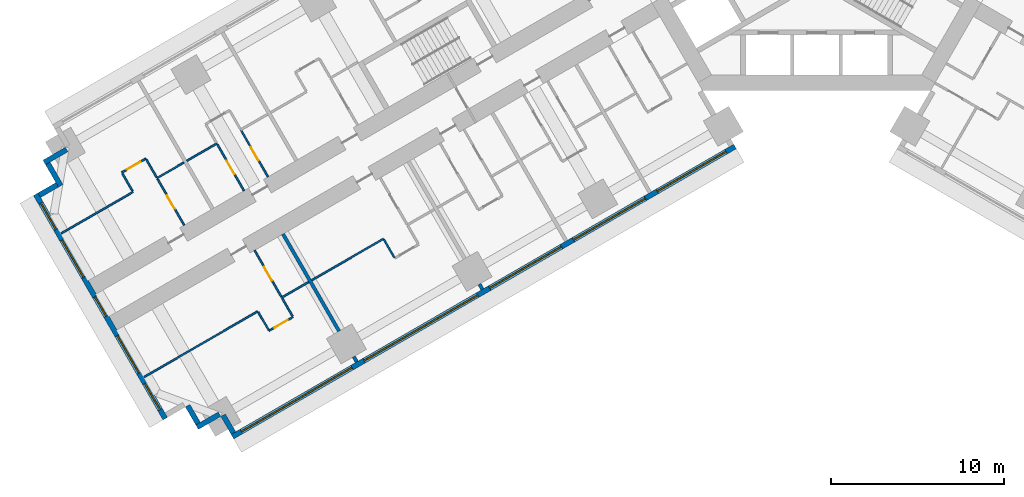
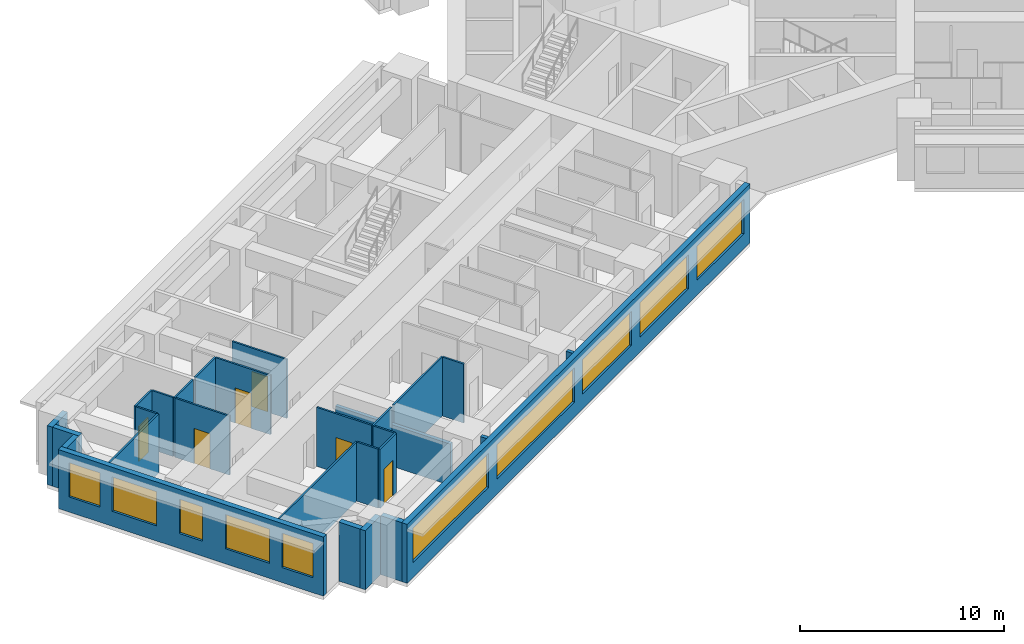
# One storey, part 3 of 17: 28 walls, 10 windows, 6 doors, 16 openings.
"""IFC4 building model written with IfcOpenShell, lengths in metres."""

from ifc_helpers import new_model, si_unit, direction, frame, frame_2d, origin, place, context, subcontext, project, spatial, rectangle, extrude, material, layer, layer_set, type_object, element, fill, save


model = new_model("IFC4")

# Units and contexts
model_context = context("Model", 3, precision=1e-05, world=origin(), true_north=direction((0.0, 1.0)))
body_context = subcontext(model_context, "Body", "Model", "MODEL_VIEW")
ifc_project = project(units=[si_unit("LENGTHUNIT", "METRE"), si_unit("AREAUNIT", "SQUARE_METRE"), si_unit("VOLUMEUNIT", "CUBIC_METRE"), si_unit("PLANEANGLEUNIT", "RADIAN"), si_unit("MASSUNIT", "GRAM", prefix="KILO")], contexts=[model_context])

# Site, building, storey
site_placement = place(None, origin())
site = spatial("IfcSite", under=ifc_project, at=site_placement, CompositionType="ELEMENT")
building_placement = place(site_placement, origin())
building = spatial("IfcBuilding", under=site, at=building_placement, Name="Impinga Residences", CompositionType="ELEMENT")
storey_placement = place(building_placement, frame((0.0, 0.0, 29.75)))
storey = spatial("IfcBuildingStorey", under=building, at=storey_placement, Name="L06", CompositionType="ELEMENT", Elevation=29.75)

# Walls
ifc_material_1 = material(Name="Terracotta rainscreen on blockwork", Category="masonry")
ifc_layer_1 = layer(ifc_material_1, 0.300048828125)
ifc_layer_set_1 = layer_set([ifc_layer_1], Name="EW1 external wall, terracotta rainscreen on blockwork 300")
wall_type_1 = type_object("IfcWallType", Name="EW1 external wall, terracotta rainscreen on blockwork 300", PredefinedType="SOLIDWALL", material=ifc_layer_set_1)
wall_1_placement = place(storey_placement, frame((-33.7685546875, -31.274169921875, 0.0), z_axis=(0.0, 0.0, 1.0), x_axis=(-0.499940577336, 0.866059708757, 0.0)))
element("IfcWall", 1, at=wall_1_placement, inside=storey, type_object=wall_type_1, Name="External wall EW1 L06", PredefinedType="SOLIDWALL", context=body_context, shape_type="SweptSolid", body=[
    extrude(rectangle(XDim=1.195068359375, YDim=0.300048828125, at=frame_2d((0.59765625, 0.0))), origin(), (0.0, 0.0, 1.0), 3.530029296875),
])
wall_2_placement = place(storey_placement, frame((-34.573486328125, -30.18017578125, 0.0), z_axis=(0.0, 0.0, 1.0), x_axis=(-0.866031096941, -0.499990139034, 0.0)))
element("IfcWall", 2, at=wall_2_placement, inside=storey, type_object=wall_type_1, Name="External wall EW1 L06", PredefinedType="SOLIDWALL", context=body_context, shape_type="SweptSolid", body=[
    extrude(rectangle(XDim=1.5, YDim=0.300048828125, at=frame_2d((0.75, 0.0))), origin(), (0.0, 0.0, 1.0), 3.530029296875),
])
wall_3_placement = place(storey_placement, frame((-35.817626953125, -30.72509765625, 0.0), z_axis=(0.0, 0.0, 1.0), x_axis=(-0.499969057507, 0.866043267704, 0.0)))
element("IfcWall", 3, at=wall_3_placement, inside=storey, type_object=wall_type_1, Name="External wall EW1 L06", PredefinedType="SOLIDWALL", context=body_context, shape_type="SweptSolid", body=[
    extrude(rectangle(XDim=1.19970703125, YDim=0.300048828125, at=frame_2d((0.599853515625, 0.0))), origin(), (0.0, 0.0, 1.0), 3.530029296875),
])

# Wall, openings, windows
wall_4_placement = place(storey_placement, frame((-37.716552734375, -30.43603515625, 0.0), z_axis=(0.0, 0.0, 1.0), x_axis=(-0.499997186618, 0.866027028085, 0.0)))
wall_4 = element("IfcWall", 4, at=wall_4_placement, inside=storey, type_object=wall_type_1, Name="External wall EW1 L06", PredefinedType="SOLIDWALL", context=body_context, shape_type="SweptSolid", body=[
    extrude(rectangle(XDim=15.0, YDim=0.300048828125, at=frame_2d((7.5, 0.0))), origin(), (0.0, 0.0, 1.0), 3.530029296875),
])
opening_1_placement = place(wall_4_placement, frame((0.60009765625, 0.0, 0.89990234375)))
opening_1 = element("IfcOpeningElement", 5, at=opening_1_placement, cuts=wall_4, Name="Opening W1", PredefinedType="OPENING", context=body_context, shape_type="SweptSolid", body=[
    extrude(rectangle(XDim=1.75, YDim=2.050048828125, at=frame_2d((0.875, 1.02490234375))), frame((0.0, 0.159912109375, 0.0), z_axis=(0.0, -1.0, 0.0), x_axis=(1.0, 0.0, 0.0)), (0.0, 0.0, 1.0), 0.320068359375),
])
opening_2_placement = place(wall_4_placement, frame((3.050048828125, 0.0, 0.89990234375)))
opening_2 = element("IfcOpeningElement", 6, at=opening_2_placement, cuts=wall_4, Name="Opening W2", PredefinedType="OPENING", context=body_context, shape_type="SweptSolid", body=[
    extrude(rectangle(XDim=2.5, YDim=2.050048828125, at=frame_2d((1.25, 1.02490234375))), frame((0.0, 0.159912109375, 0.0), z_axis=(0.0, -1.0, 0.0), x_axis=(1.0, 0.0, 0.0)), (0.0, 0.0, 1.0), 0.320068359375),
])
opening_3_placement = place(wall_4_placement, frame((6.85009765625, 0.0, 0.89990234375)))
opening_3 = element("IfcOpeningElement", 7, at=opening_3_placement, cuts=wall_4, Name="Opening WE1", PredefinedType="OPENING", context=body_context, shape_type="SweptSolid", body=[
    extrude(rectangle(XDim=1.300048828125, YDim=2.050048828125, at=frame_2d((0.64990234375, 1.02490234375))), frame((0.0, 0.159912109375, 0.0), z_axis=(0.0, -1.0, 0.0), x_axis=(1.0, 0.0, 0.0)), (0.0, 0.0, 1.0), 0.320068359375),
])
opening_4_placement = place(wall_4_placement, frame((9.449951171875, 0.0, 0.89990234375)))
opening_4 = element("IfcOpeningElement", 8, at=opening_4_placement, cuts=wall_4, Name="Opening W2", PredefinedType="OPENING", context=body_context, shape_type="SweptSolid", body=[
    extrude(rectangle(XDim=2.5, YDim=2.050048828125, at=frame_2d((1.25, 1.02490234375))), frame((0.0, 0.159912109375, 0.0), z_axis=(0.0, -1.0, 0.0), x_axis=(1.0, 0.0, 0.0)), (0.0, 0.0, 1.0), 0.320068359375),
])
opening_5_placement = place(wall_4_placement, frame((12.64990234375, 0.0, 0.89990234375)))
opening_5 = element("IfcOpeningElement", 9, at=opening_5_placement, cuts=wall_4, Name="Opening W1", PredefinedType="OPENING", context=body_context, shape_type="SweptSolid", body=[
    extrude(rectangle(XDim=1.75, YDim=2.050048828125, at=frame_2d((0.875, 1.02490234375))), frame((0.0, 0.159912109375, 0.0), z_axis=(0.0, -1.0, 0.0), x_axis=(1.0, 0.0, 0.0)), (0.0, 0.0, 1.0), 0.320068359375),
])
ifc_material_2 = material(Name="Aluminium window, clear double glazing", Category="aluminium")
window_type_1 = type_object("IfcWindowType", Name="W1 ribbon window 1750x2050", PartitioningType="SINGLE_PANEL", PredefinedType="WINDOW", material=ifc_material_2)
window_1_placement = place(opening_1_placement, origin())
window_1 = element("IfcWindow", 10, at=window_1_placement, inside=storey, type_object=window_type_1, Name="Window L06", OverallHeight=2.050048828125, OverallWidth=1.75, PartitioningType="SINGLE_PANEL", PredefinedType="WINDOW", context=body_context, shape_type="SweptSolid", body=[
    extrude(rectangle(XDim=1.75, YDim=2.050048828125, at=frame_2d((0.875, 1.02490234375))), frame((0.0, 0.030029296875, 0.0), z_axis=(0.0, -1.0, 0.0), x_axis=(1.0, 0.0, 0.0)), (0.0, 0.0, 1.0), 0.06005859375),
])
fill(opening_1, window_1)
window_2_placement = place(opening_5_placement, origin())
window_2 = element("IfcWindow", 11, at=window_2_placement, inside=storey, type_object=window_type_1, Name="Window L06", OverallHeight=2.050048828125, OverallWidth=1.75, PartitioningType="SINGLE_PANEL", PredefinedType="WINDOW", context=body_context, shape_type="SweptSolid", body=[
    extrude(rectangle(XDim=1.75, YDim=2.050048828125, at=frame_2d((0.875, 1.02490234375))), frame((0.0, 0.030029296875, 0.0), z_axis=(0.0, -1.0, 0.0), x_axis=(1.0, 0.0, 0.0)), (0.0, 0.0, 1.0), 0.06005859375),
])
fill(opening_5, window_2)
window_type_2 = type_object("IfcWindowType", Name="W2 ribbon window 2500x2050", PartitioningType="SINGLE_PANEL", PredefinedType="WINDOW", material=ifc_material_2)
window_3_placement = place(opening_2_placement, origin())
window_3 = element("IfcWindow", 12, at=window_3_placement, inside=storey, type_object=window_type_2, Name="Window L06", OverallHeight=2.050048828125, OverallWidth=2.5, PartitioningType="SINGLE_PANEL", PredefinedType="WINDOW", context=body_context, shape_type="SweptSolid", body=[
    extrude(rectangle(XDim=2.5, YDim=2.050048828125, at=frame_2d((1.25, 1.02490234375))), frame((0.0, 0.030029296875, 0.0), z_axis=(0.0, -1.0, 0.0), x_axis=(1.0, 0.0, 0.0)), (0.0, 0.0, 1.0), 0.06005859375),
])
fill(opening_2, window_3)
window_4_placement = place(opening_4_placement, origin())
window_4 = element("IfcWindow", 13, at=window_4_placement, inside=storey, type_object=window_type_2, Name="Window L06", OverallHeight=2.050048828125, OverallWidth=2.5, PartitioningType="SINGLE_PANEL", PredefinedType="WINDOW", context=body_context, shape_type="SweptSolid", body=[
    extrude(rectangle(XDim=2.5, YDim=2.050048828125, at=frame_2d((1.25, 1.02490234375))), frame((0.0, 0.030029296875, 0.0), z_axis=(0.0, -1.0, 0.0), x_axis=(1.0, 0.0, 0.0)), (0.0, 0.0, 1.0), 0.06005859375),
])
fill(opening_4, window_4)
window_type_3 = type_object("IfcWindowType", Name="WE1 corridor window 1300x2050", PartitioningType="SINGLE_PANEL", PredefinedType="WINDOW", material=ifc_material_2)
window_5_placement = place(opening_3_placement, origin())
window_5 = element("IfcWindow", 14, at=window_5_placement, inside=storey, type_object=window_type_3, Name="Window L06", OverallHeight=2.050048828125, OverallWidth=1.300048828125, PartitioningType="SINGLE_PANEL", PredefinedType="WINDOW", context=body_context, shape_type="SweptSolid", body=[
    extrude(rectangle(XDim=1.300048828125, YDim=2.050048828125, at=frame_2d((0.64990234375, 1.02490234375))), frame((0.0, 0.030029296875, 0.0), z_axis=(0.0, -1.0, 0.0), x_axis=(1.0, 0.0, 0.0)), (0.0, 0.0, 1.0), 0.06005859375),
])
fill(opening_3, window_5)

# Walls
wall_5_placement = place(storey_placement, frame((-45.01171875, -17.50048828125, 0.0), z_axis=(0.0, 0.0, 1.0), x_axis=(0.866059708757, 0.499940577336, 0.0)))
element("IfcWall", 15, at=wall_5_placement, inside=storey, type_object=wall_type_1, Name="External wall EW1 L06", PredefinedType="SOLIDWALL", context=body_context, shape_type="SweptSolid", body=[
    extrude(rectangle(XDim=1.195068359375, YDim=0.300048828125, at=frame_2d((0.59765625, 0.0))), origin(), (0.0, 0.0, 1.0), 3.530029296875),
])
for number, where, z_axis, x_axis, name in (
    (16, (-43.767578125, -16.955322265625, 0.0), (0.0, 0.0, 1.0), (-0.499990139034, 0.866031096941, 0.0), "External wall EW1 L06"),
    (17, (-44.722412109375, -15.6015625, 0.0), (0.0, 0.0, 1.0), (0.866031096941, 0.499990139034, 0.0), "External wall EW1 L06"),
):
    element("IfcWall", number, at=place(storey_placement, frame(where, z_axis=z_axis, x_axis=x_axis)), inside=storey, type_object=wall_type_1, Name=name, PredefinedType="SOLIDWALL", context=body_context, shape_type="SweptSolid", body=[
        extrude(rectangle(XDim=1.5, YDim=0.300048828125, at=frame_2d((0.75, 0.0))), origin(), (0.0, 0.0, 1.0), 3.530029296875),
    ])

# Wall, openings, windows
wall_6_placement = place(storey_placement, frame((-4.72509765625, -14.67919921875, 0.0), z_axis=(0.0, 0.0, 1.0), x_axis=(-0.866024291668, -0.500001926238, 0.0)))
wall_6 = element("IfcWall", 18, at=wall_6_placement, inside=storey, type_object=wall_type_1, Name="External wall EW1 L06", PredefinedType="SOLIDWALL", context=body_context, shape_type="SweptSolid", body=[
    extrude(rectangle(XDim=33.599853515625, YDim=0.300048828125, at=frame_2d((16.7998046875, 0.0))), origin(), (0.0, 0.0, 1.0), 3.530029296875),
])
opening_6_placement = place(wall_6_placement, frame((0.60009765625, 0.0, 0.89990234375)))
opening_6 = element("IfcOpeningElement", 19, at=opening_6_placement, cuts=wall_6, Name="Opening W3", PredefinedType="OPENING", context=body_context, shape_type="SweptSolid", body=[
    extrude(rectangle(XDim=4.60009765625, YDim=2.050048828125, at=frame_2d((2.300048828125, 1.02490234375))), frame((0.0, 0.159912109375, 0.0), z_axis=(0.0, -1.0, 0.0), x_axis=(1.0, 0.0, 0.0)), (0.0, 0.0, 1.0), 0.320068359375),
])
opening_7_placement = place(wall_6_placement, frame((6.0, 0.0, 0.89990234375)))
opening_7 = element("IfcOpeningElement", 20, at=opening_7_placement, cuts=wall_6, Name="Opening W8", PredefinedType="OPENING", context=body_context, shape_type="SweptSolid", body=[
    extrude(rectangle(XDim=4.800048828125, YDim=2.050048828125, at=frame_2d((2.39990234375, 1.02490234375))), frame((0.0, 0.159912109375, 0.0), z_axis=(0.0, -1.0, 0.0), x_axis=(1.0, 0.0, 0.0)), (0.0, 0.0, 1.0), 0.320068359375),
])
opening_8_placement = place(wall_6_placement, frame((11.60009765625, 0.0, 0.89990234375)))
opening_8 = element("IfcOpeningElement", 21, at=opening_8_placement, cuts=wall_6, Name="Opening W8", PredefinedType="OPENING", context=body_context, shape_type="SweptSolid", body=[
    extrude(rectangle(XDim=4.800048828125, YDim=2.050048828125, at=frame_2d((2.39990234375, 1.02490234375))), frame((0.0, 0.159912109375, 0.0), z_axis=(0.0, -1.0, 0.0), x_axis=(1.0, 0.0, 0.0)), (0.0, 0.0, 1.0), 0.320068359375),
])
opening_9_placement = place(wall_6_placement, frame((17.199951171875, 0.0, 0.89990234375)))
opening_9 = element("IfcOpeningElement", 22, at=opening_9_placement, cuts=wall_6, Name="Opening W5", PredefinedType="OPENING", context=body_context, shape_type="SweptSolid", body=[
    extrude(rectangle(XDim=7.60009765625, YDim=2.050048828125, at=frame_2d((3.800048828125, 1.02490234375))), frame((0.0, 0.159912109375, 0.0), z_axis=(0.0, -1.0, 0.0), x_axis=(1.0, 0.0, 0.0)), (0.0, 0.0, 1.0), 0.320068359375),
])
opening_10_placement = place(wall_6_placement, frame((25.60009765625, 0.0, 0.89990234375)))
opening_10 = element("IfcOpeningElement", 23, at=opening_10_placement, cuts=wall_6, Name="Opening W12", PredefinedType="OPENING", context=body_context, shape_type="SweptSolid", body=[
    extrude(rectangle(XDim=7.39990234375, YDim=2.050048828125, at=frame_2d((3.699951171875, 1.02490234375))), frame((0.0, 0.159912109375, 0.0), z_axis=(0.0, -1.0, 0.0), x_axis=(1.0, 0.0, 0.0)), (0.0, 0.0, 1.0), 0.320068359375),
])
window_type_4 = type_object("IfcWindowType", Name="W12 ribbon window 7400x2050", PartitioningType="SINGLE_PANEL", PredefinedType="WINDOW", material=ifc_material_2)
window_6_placement = place(opening_10_placement, origin())
window_6 = element("IfcWindow", 24, at=window_6_placement, inside=storey, type_object=window_type_4, Name="Window L06", OverallHeight=2.050048828125, OverallWidth=7.39990234375, PartitioningType="SINGLE_PANEL", PredefinedType="WINDOW", context=body_context, shape_type="SweptSolid", body=[
    extrude(rectangle(XDim=7.39990234375, YDim=2.050048828125, at=frame_2d((3.699951171875, 1.02490234375))), frame((0.0, 0.030029296875, 0.0), z_axis=(0.0, -1.0, 0.0), x_axis=(1.0, 0.0, 0.0)), (0.0, 0.0, 1.0), 0.06005859375),
])
fill(opening_10, window_6)
window_type_5 = type_object("IfcWindowType", Name="W3 ribbon window 4600x2050", PartitioningType="SINGLE_PANEL", PredefinedType="WINDOW", material=ifc_material_2)
window_7_placement = place(opening_6_placement, origin())
window_7 = element("IfcWindow", 25, at=window_7_placement, inside=storey, type_object=window_type_5, Name="Window L06", OverallHeight=2.050048828125, OverallWidth=4.60009765625, PartitioningType="SINGLE_PANEL", PredefinedType="WINDOW", context=body_context, shape_type="SweptSolid", body=[
    extrude(rectangle(XDim=4.60009765625, YDim=2.050048828125, at=frame_2d((2.300048828125, 1.02490234375))), frame((0.0, 0.030029296875, 0.0), z_axis=(0.0, -1.0, 0.0), x_axis=(1.0, 0.0, 0.0)), (0.0, 0.0, 1.0), 0.06005859375),
])
fill(opening_6, window_7)
window_type_6 = type_object("IfcWindowType", Name="W5 ribbon window 7600x2050", PartitioningType="SINGLE_PANEL", PredefinedType="WINDOW", material=ifc_material_2)
window_8_placement = place(opening_9_placement, origin())
window_8 = element("IfcWindow", 26, at=window_8_placement, inside=storey, type_object=window_type_6, Name="Window L06", OverallHeight=2.050048828125, OverallWidth=7.60009765625, PartitioningType="SINGLE_PANEL", PredefinedType="WINDOW", context=body_context, shape_type="SweptSolid", body=[
    extrude(rectangle(XDim=7.60009765625, YDim=2.050048828125, at=frame_2d((3.800048828125, 1.02490234375))), frame((0.0, 0.030029296875, 0.0), z_axis=(0.0, -1.0, 0.0), x_axis=(1.0, 0.0, 0.0)), (0.0, 0.0, 1.0), 0.06005859375),
])
fill(opening_9, window_8)
window_type_7 = type_object("IfcWindowType", Name="W8 ribbon window 4800x2050", PartitioningType="SINGLE_PANEL", PredefinedType="WINDOW", material=ifc_material_2)
window_9_placement = place(opening_7_placement, origin())
window_9 = element("IfcWindow", 27, at=window_9_placement, inside=storey, type_object=window_type_7, Name="Window L06", OverallHeight=2.050048828125, OverallWidth=4.800048828125, PartitioningType="SINGLE_PANEL", PredefinedType="WINDOW", context=body_context, shape_type="SweptSolid", body=[
    extrude(rectangle(XDim=4.800048828125, YDim=2.050048828125, at=frame_2d((2.39990234375, 1.02490234375))), frame((0.0, 0.030029296875, 0.0), z_axis=(0.0, -1.0, 0.0), x_axis=(1.0, 0.0, 0.0)), (0.0, 0.0, 1.0), 0.06005859375),
])
fill(opening_7, window_9)
window_10_placement = place(opening_8_placement, origin())
window_10 = element("IfcWindow", 28, at=window_10_placement, inside=storey, type_object=window_type_7, Name="Window L06", OverallHeight=2.050048828125, OverallWidth=4.800048828125, PartitioningType="SINGLE_PANEL", PredefinedType="WINDOW", context=body_context, shape_type="SweptSolid", body=[
    extrude(rectangle(XDim=4.800048828125, YDim=2.050048828125, at=frame_2d((2.39990234375, 1.02490234375))), frame((0.0, 0.030029296875, 0.0), z_axis=(0.0, -1.0, 0.0), x_axis=(1.0, 0.0, 0.0)), (0.0, 0.0, 1.0), 0.06005859375),
])
fill(opening_8, window_10)

# Walls
ifc_material_3 = material(Name="Gypsum board on steel studs", Category="steel")
ifc_layer_2 = layer(ifc_material_3, 0.10009765625)
ifc_layer_set_2 = layer_set([ifc_layer_2], Name="Gypsum board on steel studs")
wall_type_2 = type_object("IfcWallType", Name="IP1 partition 100", PredefinedType="PARTITIONING", material=ifc_layer_set_2)
wall_7_placement = place(storey_placement, frame((-25.080322265625, -20.022705078125, 0.0), z_axis=(0.0, 0.0, 1.0), x_axis=(-0.866037363387, -0.499979284789, 0.0)))
element("IfcWall", 29, at=wall_7_placement, inside=storey, type_object=wall_type_2, Name="Partition L06-WA4:DIV1", PredefinedType="PARTITIONING", context=body_context, shape_type="SweptSolid", body=[
    extrude(rectangle(XDim=4.800048828125, YDim=0.10009765625, at=frame_2d((2.39990234375, 0.0))), origin(), (0.0, 0.0, 1.0), 3.530029296875),
])
wall_8_placement = place(storey_placement, frame((-25.055419921875, -20.06591796875, 0.0), z_axis=(0.0, 0.0, 1.0), x_axis=(0.500033551112, -0.866006032174, 0.0)))
element("IfcWall", 30, at=wall_8_placement, inside=storey, type_object=wall_type_2, Name="Partition L06-WA4:SE1", PredefinedType="PARTITIONING", context=body_context, shape_type="SweptSolid", body=[
    extrude(rectangle(XDim=1.2001953125, YDim=0.10009765625, at=frame_2d((0.60009765625, 0.0))), origin(), (0.0, 0.0, 1.0), 3.530029296875),
])
wall_9_placement = place(storey_placement, frame((-29.410400390625, -22.522705078125, 0.0), z_axis=(0.0, 0.0, 1.0), x_axis=(-0.866047807691, -0.499961193289, 0.0)))
element("IfcWall", 31, at=wall_9_placement, inside=storey, type_object=wall_type_2, Name="Partition L06-WA5:DIV0", PredefinedType="PARTITIONING", context=body_context, shape_type="SweptSolid", body=[
    extrude(rectangle(XDim=1.800048828125, YDim=0.10009765625, at=frame_2d((0.89990234375, 0.0))), origin(), (0.0, 0.0, 1.0), 3.530029296875),
])
wall_10_placement = place(storey_placement, frame((-32.35498046875, -24.22265625, 0.0), z_axis=(0.0, 0.0, 1.0), x_axis=(-0.866022425744, -0.500005158081, 0.0)))
element("IfcWall", 32, at=wall_10_placement, inside=storey, type_object=wall_type_2, Name="Partition L06-WA5:DIV1", PredefinedType="PARTITIONING", context=body_context, shape_type="SweptSolid", body=[
    extrude(rectangle(XDim=7.60009765625, YDim=0.10009765625, at=frame_2d((3.800048828125, 0.0))), origin(), (0.0, 0.0, 1.0), 3.530029296875),
])

# Wall, opening, door
wall_11_placement = place(storey_placement, frame((-30.3193359375, -24.548583984375, 0.0), z_axis=(0.0, 0.0, 1.0), x_axis=(-0.865989903783, -0.500061482766, 0.0)))
wall_11 = element("IfcWall", 33, at=wall_11_placement, inside=storey, type_object=wall_type_2, Name="Partition L06-WA5:STRIP", PredefinedType="PARTITIONING", context=body_context, shape_type="SweptSolid", body=[
    extrude(rectangle(XDim=1.599853515625, YDim=0.10009765625, at=frame_2d((0.7998046875, 0.0))), origin(), (0.0, 0.0, 1.0), 3.530029296875),
])
opening_11_placement = place(wall_11_placement, frame((0.35009765625, 0.0, 0.0)))
opening_11 = element("IfcOpeningElement", 34, at=opening_11_placement, cuts=wall_11, Name="Opening D2", PredefinedType="OPENING", context=body_context, shape_type="SweptSolid", body=[
    extrude(rectangle(XDim=0.89990234375, YDim=2.10009765625, at=frame_2d((0.449951171875, 1.050048828125))), frame((0.0, 0.06005859375, 0.0), z_axis=(0.0, -1.0, 0.0), x_axis=(1.0, 0.0, 0.0)), (0.0, 0.0, 1.0), 0.1201171875),
])
ifc_material_4 = material(Name="Timber door set", Category="wood")
door_type = type_object("IfcDoorType", Name="D2 internal door 900x2100", OperationType="SINGLE_SWING_LEFT", PredefinedType="DOOR", material=ifc_material_4)
door_1_placement = place(opening_11_placement, origin())
door_1 = element("IfcDoor", 35, at=door_1_placement, inside=storey, type_object=door_type, Name="Apartment L06-WA5 room door", OperationType="SINGLE_SWING_LEFT", OverallHeight=2.10009765625, OverallWidth=0.89990234375, PredefinedType="DOOR", context=body_context, shape_type="SweptSolid", body=[
    extrude(rectangle(XDim=0.89990234375, YDim=2.10009765625, at=frame_2d((0.449951171875, 1.050048828125))), frame((0.0, 0.02490234375, 0.0), z_axis=(0.0, -1.0, 0.0), x_axis=(1.0, 0.0, 0.0)), (0.0, 0.0, 1.0), 0.050048828125),
])
fill(opening_11, door_1)

# Walls
for number, where, z_axis, x_axis, name in (
    (36, (-30.9443359375, -23.466064453125, 0.0), (0.0, 0.0, 1.0), (0.50012165622, -0.865955154139, 0.0), "Partition L06-WA5:SE0"),
    (37, (-32.329833984375, -24.265869140625, 0.0), (0.0, 0.0, 1.0), (0.499880961361, -0.866094119867, 0.0), "Partition L06-WA5:SE1"),
):
    element("IfcWall", number, at=place(storey_placement, frame(where, z_axis=z_axis, x_axis=x_axis)), inside=storey, type_object=wall_type_2, Name=name, PredefinedType="PARTITIONING", context=body_context, shape_type="SweptSolid", body=[
        extrude(rectangle(XDim=1.199951171875, YDim=0.10009765625, at=frame_2d((0.60009765625, 0.0))), origin(), (0.0, 0.0, 1.0), 3.530029296875),
    ])

# Wall, opening, door
wall_12_placement = place(storey_placement, frame((-32.544189453125, -20.69482421875, 0.0), z_axis=(0.0, 0.0, 1.0), x_axis=(0.499967891604, -0.866043940782, 0.0)))
wall_12 = element("IfcWall", 38, at=wall_12_placement, inside=storey, type_object=wall_type_2, Name="Partition L06-WA5:IB1", PredefinedType="PARTITIONING", context=body_context, shape_type="SweptSolid", body=[
    extrude(rectangle(XDim=3.099853515625, YDim=0.10009765625, at=frame_2d((1.5498046875, 0.0))), origin(), (0.0, 0.0, 1.0), 3.530029296875),
])
opening_12_placement = place(wall_12_placement, frame((1.10009765625, 0.0, 0.0)))
opening_12 = element("IfcOpeningElement", 39, at=opening_12_placement, cuts=wall_12, Name="Opening D2", PredefinedType="OPENING", context=body_context, shape_type="SweptSolid", body=[
    extrude(rectangle(XDim=0.89990234375, YDim=2.10009765625, at=frame_2d((0.449951171875, 1.050048828125))), frame((0.0, 0.06005859375, 0.0), z_axis=(0.0, -1.0, 0.0), x_axis=(1.0, 0.0, 0.0)), (0.0, 0.0, 1.0), 0.1201171875),
])
door_2_placement = place(opening_12_placement, origin())
door_2 = element("IfcDoor", 40, at=door_2_placement, inside=storey, type_object=door_type, Name="Apartment L06-WA5 bathroom door", OperationType="SINGLE_SWING_LEFT", OverallHeight=2.10009765625, OverallWidth=0.89990234375, PredefinedType="DOOR", context=body_context, shape_type="SweptSolid", body=[
    extrude(rectangle(XDim=0.89990234375, YDim=2.10009765625, at=frame_2d((0.449951171875, 1.050048828125))), frame((0.0, 0.02490234375, 0.0), z_axis=(0.0, -1.0, 0.0), x_axis=(1.0, 0.0, 0.0)), (0.0, 0.0, 1.0), 0.050048828125),
])
fill(opening_12, door_2)

# Wall
wall_13_placement = place(storey_placement, frame((-34.72998046875, -14.5087890625, 0.0), z_axis=(0.0, 0.0, 1.0), x_axis=(-0.866041268327, -0.499972520799, 0.0)))
element("IfcWall", 41, at=wall_13_placement, inside=storey, type_object=wall_type_2, Name="Partition L06-WF3:DIV1", PredefinedType="PARTITIONING", context=body_context, shape_type="SweptSolid", body=[
    extrude(rectangle(XDim=2.0, YDim=0.10009765625, at=frame_2d((1.0, 0.0))), origin(), (0.0, 0.0, 1.0), 3.530029296875),
])

# Wall, opening, door
wall_14_placement = place(storey_placement, frame((-31.76953125, -16.436767578125, 0.0), z_axis=(0.0, 0.0, 1.0), x_axis=(-0.499967891604, 0.866043940782, 0.0)))
wall_14 = element("IfcWall", 42, at=wall_14_placement, inside=storey, type_object=wall_type_2, Name="Partition L06-WF3:IB1", PredefinedType="PARTITIONING", context=body_context, shape_type="SweptSolid", body=[
    extrude(rectangle(XDim=3.099853515625, YDim=0.10009765625, at=frame_2d((1.5498046875, 0.0))), origin(), (0.0, 0.0, 1.0), 3.530029296875),
])
opening_13_placement = place(wall_14_placement, frame((1.10009765625, 0.0, 0.0)))
opening_13 = element("IfcOpeningElement", 43, at=opening_13_placement, cuts=wall_14, Name="Opening D2", PredefinedType="OPENING", context=body_context, shape_type="SweptSolid", body=[
    extrude(rectangle(XDim=0.89990234375, YDim=2.10009765625, at=frame_2d((0.449951171875, 1.050048828125))), frame((0.0, 0.06005859375, 0.0), z_axis=(0.0, -1.0, 0.0), x_axis=(1.0, 0.0, 0.0)), (0.0, 0.0, 1.0), 0.1201171875),
])
door_3_placement = place(opening_13_placement, origin())
door_3 = element("IfcDoor", 44, at=door_3_placement, inside=storey, type_object=door_type, Name="Apartment L06-WF3 bathroom door", OperationType="SINGLE_SWING_LEFT", OverallHeight=2.10009765625, OverallWidth=0.89990234375, PredefinedType="DOOR", context=body_context, shape_type="SweptSolid", body=[
    extrude(rectangle(XDim=0.89990234375, YDim=2.10009765625, at=frame_2d((0.449951171875, 1.050048828125))), frame((0.0, 0.02490234375, 0.0), z_axis=(0.0, -1.0, 0.0), x_axis=(1.0, 0.0, 0.0)), (0.0, 0.0, 1.0), 0.050048828125),
])
fill(opening_13, door_3)

wall_15_placement = place(storey_placement, frame((-33.155029296875, -17.23681640625, 0.0), z_axis=(0.0, 0.0, 1.0), x_axis=(-0.500026960575, 0.86600983753, 0.0)))
wall_15 = element("IfcWall", 45, at=wall_15_placement, inside=storey, type_object=wall_type_2, Name="Partition L06-WF3:IB2", PredefinedType="PARTITIONING", context=body_context, shape_type="SweptSolid", body=[
    extrude(rectangle(XDim=3.099853515625, YDim=0.10009765625, at=frame_2d((1.5498046875, 0.0))), origin(), (0.0, 0.0, 1.0), 3.530029296875),
])
opening_14_placement = place(wall_15_placement, frame((1.10009765625, 0.0, 0.0)))
opening_14 = element("IfcOpeningElement", 46, at=opening_14_placement, cuts=wall_15, Name="Opening D2", PredefinedType="OPENING", context=body_context, shape_type="SweptSolid", body=[
    extrude(rectangle(XDim=0.89990234375, YDim=2.10009765625, at=frame_2d((0.449951171875, 1.050048828125))), frame((0.0, 0.06005859375, 0.0), z_axis=(0.0, -1.0, 0.0), x_axis=(1.0, 0.0, 0.0)), (0.0, 0.0, 1.0), 0.1201171875),
])
door_4_placement = place(opening_14_placement, origin())
door_4 = element("IfcDoor", 47, at=door_4_placement, inside=storey, type_object=door_type, Name="Apartment L06-WF3 WC door", OperationType="SINGLE_SWING_LEFT", OverallHeight=2.10009765625, OverallWidth=0.89990234375, PredefinedType="DOOR", context=body_context, shape_type="SweptSolid", body=[
    extrude(rectangle(XDim=0.89990234375, YDim=2.10009765625, at=frame_2d((0.449951171875, 1.050048828125))), frame((0.0, 0.02490234375, 0.0), z_axis=(0.0, -1.0, 0.0), x_axis=(1.0, 0.0, 0.0)), (0.0, 0.0, 1.0), 0.050048828125),
])
fill(opening_14, door_4)

# Walls
wall_16_placement = place(storey_placement, frame((-36.63525390625, -15.60888671875, 0.0), z_axis=(0.0, 0.0, 1.0), x_axis=(-0.866047807691, -0.499961193289, 0.0)))
element("IfcWall", 48, at=wall_16_placement, inside=storey, type_object=wall_type_2, Name="Partition L06-WF4:DIV0", PredefinedType="PARTITIONING", context=body_context, shape_type="SweptSolid", body=[
    extrude(rectangle(XDim=1.800048828125, YDim=0.10009765625, at=frame_2d((0.89990234375, 0.0))), origin(), (0.0, 0.0, 1.0), 3.530029296875),
])
wall_17_placement = place(storey_placement, frame((-39.579833984375, -17.308837890625, 0.0), z_axis=(0.0, 0.0, 1.0), x_axis=(-0.866037363387, -0.499979284789, 0.0)))
element("IfcWall", 49, at=wall_17_placement, inside=storey, type_object=wall_type_2, Name="Partition L06-WF4:DIV1", PredefinedType="PARTITIONING", context=body_context, shape_type="SweptSolid", body=[
    extrude(rectangle(XDim=4.800048828125, YDim=0.10009765625, at=frame_2d((2.39990234375, 0.0))), origin(), (0.0, 0.0, 1.0), 3.530029296875),
])

# Wall, opening, door
wall_18_placement = place(storey_placement, frame((-38.84423828125, -15.383056640625, 0.0), z_axis=(0.0, 0.0, 1.0), x_axis=(-0.865989903783, -0.500061482766, 0.0)))
wall_18 = element("IfcWall", 50, at=wall_18_placement, inside=storey, type_object=wall_type_2, Name="Partition L06-WF4:STRIP", PredefinedType="PARTITIONING", context=body_context, shape_type="SweptSolid", body=[
    extrude(rectangle(XDim=1.599853515625, YDim=0.10009765625, at=frame_2d((0.7998046875, 0.0))), origin(), (0.0, 0.0, 1.0), 3.530029296875),
])
opening_15_placement = place(wall_18_placement, frame((0.35009765625, 0.0, 0.0)))
opening_15 = element("IfcOpeningElement", 51, at=opening_15_placement, cuts=wall_18, Name="Opening D2", PredefinedType="OPENING", context=body_context, shape_type="SweptSolid", body=[
    extrude(rectangle(XDim=0.89990234375, YDim=2.10009765625, at=frame_2d((0.449951171875, 1.050048828125))), frame((0.0, 0.06005859375, 0.0), z_axis=(0.0, -1.0, 0.0), x_axis=(1.0, 0.0, 0.0)), (0.0, 0.0, 1.0), 0.1201171875),
])
door_5_placement = place(opening_15_placement, origin())
door_5 = element("IfcDoor", 52, at=door_5_placement, inside=storey, type_object=door_type, Name="Apartment L06-WF4 room door", OperationType="SINGLE_SWING_LEFT", OverallHeight=2.10009765625, OverallWidth=0.89990234375, PredefinedType="DOOR", context=body_context, shape_type="SweptSolid", body=[
    extrude(rectangle(XDim=0.89990234375, YDim=2.10009765625, at=frame_2d((0.449951171875, 1.050048828125))), frame((0.0, 0.02490234375, 0.0), z_axis=(0.0, -1.0, 0.0), x_axis=(1.0, 0.0, 0.0)), (0.0, 0.0, 1.0), 0.050048828125),
])
fill(opening_15, door_5)

# Walls
wall_19_placement = place(storey_placement, frame((-38.21923828125, -16.465576171875, 0.0), z_axis=(0.0, 0.0, 1.0), x_axis=(-0.499880961361, 0.866094119867, 0.0)))
element("IfcWall", 53, at=wall_19_placement, inside=storey, type_object=wall_type_2, Name="Partition L06-WF4:SE0", PredefinedType="PARTITIONING", context=body_context, shape_type="SweptSolid", body=[
    extrude(rectangle(XDim=1.199951171875, YDim=0.10009765625, at=frame_2d((0.60009765625, 0.0))), origin(), (0.0, 0.0, 1.0), 3.530029296875),
])
wall_20_placement = place(storey_placement, frame((-39.604736328125, -17.265625, 0.0), z_axis=(0.0, 0.0, 1.0), x_axis=(-0.500033551112, 0.866006032174, 0.0)))
element("IfcWall", 54, at=wall_20_placement, inside=storey, type_object=wall_type_2, Name="Partition L06-WF4:SE1", PredefinedType="PARTITIONING", context=body_context, shape_type="SweptSolid", body=[
    extrude(rectangle(XDim=1.2001953125, YDim=0.10009765625, at=frame_2d((0.60009765625, 0.0))), origin(), (0.0, 0.0, 1.0), 3.530029296875),
])

# Wall, opening, door
wall_21_placement = place(storey_placement, frame((-36.619140625, -19.23681640625, 0.0), z_axis=(0.0, 0.0, 1.0), x_axis=(-0.500026960575, 0.86600983753, 0.0)))
wall_21 = element("IfcWall", 55, at=wall_21_placement, inside=storey, type_object=wall_type_2, Name="Partition L06-WF4:IB1", PredefinedType="PARTITIONING", context=body_context, shape_type="SweptSolid", body=[
    extrude(rectangle(XDim=3.099853515625, YDim=0.10009765625, at=frame_2d((1.5498046875, 0.0))), origin(), (0.0, 0.0, 1.0), 3.530029296875),
])
opening_16_placement = place(wall_21_placement, frame((1.10009765625, 0.0, 0.0)))
opening_16 = element("IfcOpeningElement", 56, at=opening_16_placement, cuts=wall_21, Name="Opening D2", PredefinedType="OPENING", context=body_context, shape_type="SweptSolid", body=[
    extrude(rectangle(XDim=0.89990234375, YDim=2.10009765625, at=frame_2d((0.449951171875, 1.050048828125))), frame((0.0, 0.06005859375, 0.0), z_axis=(0.0, -1.0, 0.0), x_axis=(1.0, 0.0, 0.0)), (0.0, 0.0, 1.0), 0.1201171875),
])
door_6_placement = place(opening_16_placement, origin())
door_6 = element("IfcDoor", 57, at=door_6_placement, inside=storey, type_object=door_type, Name="Apartment L06-WF4 bathroom door", OperationType="SINGLE_SWING_LEFT", OverallHeight=2.10009765625, OverallWidth=0.89990234375, PredefinedType="DOOR", context=body_context, shape_type="SweptSolid", body=[
    extrude(rectangle(XDim=0.89990234375, YDim=2.10009765625, at=frame_2d((0.449951171875, 1.050048828125))), frame((0.0, 0.02490234375, 0.0), z_axis=(0.0, -1.0, 0.0), x_axis=(1.0, 0.0, 0.0)), (0.0, 0.0, 1.0), 0.050048828125),
])
fill(opening_16, door_6)

# Walls
ifc_material_5 = material(Name="Concrete blockwork", Category="masonry")
ifc_layer_3 = layer(ifc_material_5, 0.199951171875)
ifc_layer_set_3 = layer_set([ifc_layer_3], Name="PW1 party wall between apartments 200")
wall_type_3 = type_object("IfcWallType", Name="PW1 party wall between apartments 200", PredefinedType="SOLIDWALL", material=ifc_layer_set_3)
wall_22_placement = place(storey_placement, frame((-19.524169921875, -22.64599609375, 0.0), z_axis=(0.0, 0.0, 1.0), x_axis=(0.49996389635, -0.866046247233, 0.0)))
element("IfcWall", 58, at=wall_22_placement, inside=storey, type_object=wall_type_3, Name="Party wall between apartments L06-WA3:PARTYb", PredefinedType="SOLIDWALL", context=body_context, shape_type="SweptSolid", body=[
    extrude(rectangle(XDim=0.35009765625, YDim=0.199951171875, at=frame_2d((0.175048828125, 0.0))), origin(), (0.0, 0.0, 1.0), 3.530029296875),
])
wall_23_placement = place(storey_placement, frame((-30.89892578125, -19.74462890625, 0.0), z_axis=(0.0, 0.0, 1.0), x_axis=(0.50000098154, -0.866024837091, 0.0)))
element("IfcWall", 59, at=wall_23_placement, inside=storey, type_object=wall_type_3, Name="Party wall between apartments L06-WA4:PARTY", PredefinedType="SOLIDWALL", context=body_context, shape_type="SweptSolid", body=[
    extrude(rectangle(XDim=6.5, YDim=0.199951171875, at=frame_2d((3.25, 0.0))), origin(), (0.0, 0.0, 1.0), 2.47998046875),
])
wall_24_placement = place(storey_placement, frame((-26.798828125, -26.84619140625, 0.0), z_axis=(0.0, 0.0, 1.0), x_axis=(0.500265973451, -0.865871789474, 0.0)))
element("IfcWall", 60, at=wall_24_placement, inside=storey, type_object=wall_type_3, Name="Party wall between apartments L06-WA4:PARTYb", PredefinedType="SOLIDWALL", context=body_context, shape_type="SweptSolid", body=[
    extrude(rectangle(XDim=0.349853515625, YDim=0.199951171875, at=frame_2d((0.1748046875, 0.0))), origin(), (0.0, 0.0, 1.0), 3.530029296875),
])

save(model, "model.ifc")
